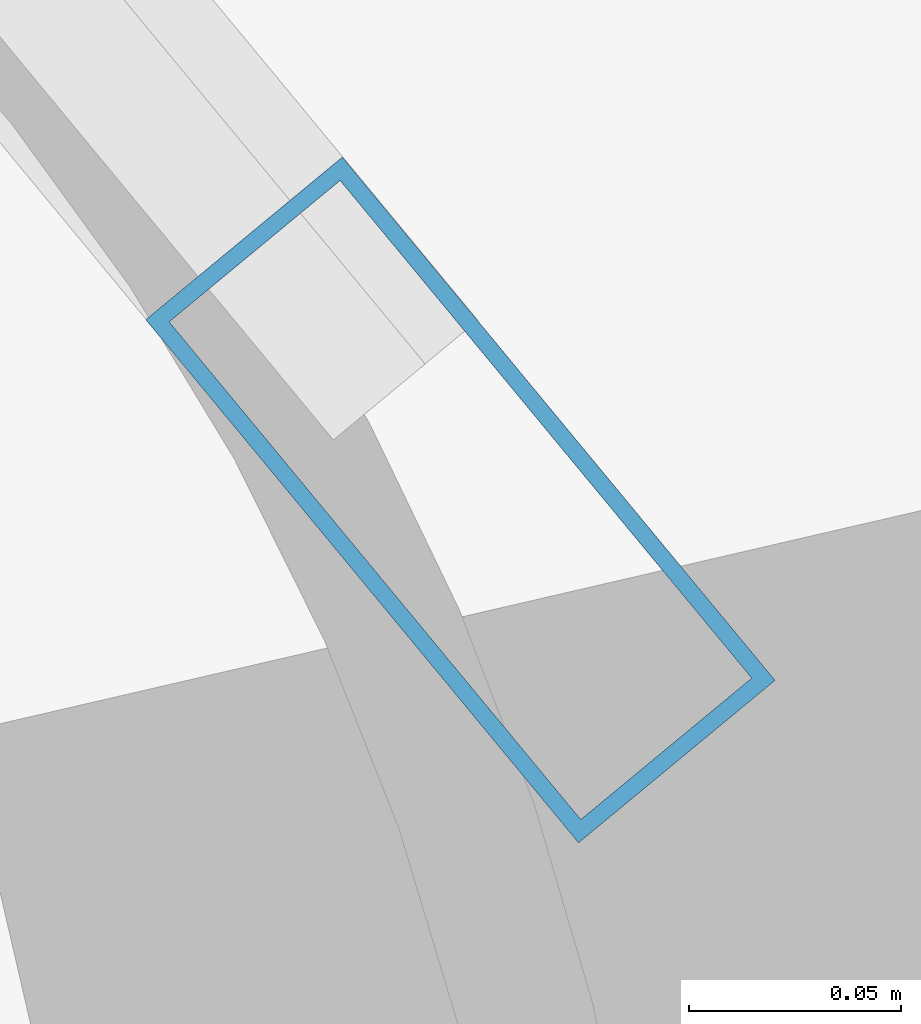
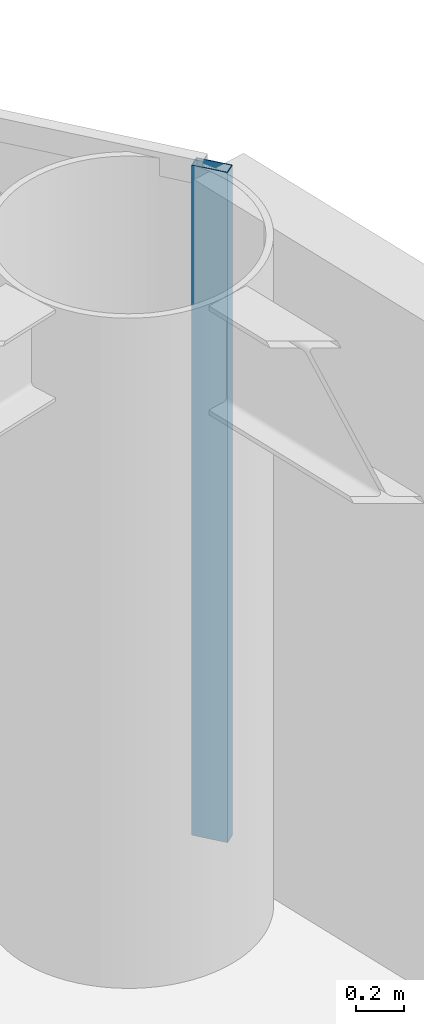
# One storey, part 9 of 27: 1 member, 1 element without a shape of its own.
"""IFC4 building model written with IfcOpenShell, lengths in metres."""

from ifc_helpers import new_model, si_unit, direction, frame, origin, origin_2d, place, context, subcontext, project, spatial, hollow_rectangle, extrude, material, layer, layer_set, material_profile, profile_set, type_object, element, aggregate, save


model = new_model("IFC4")

# Units and contexts
model_context = context("Model", 3, precision=1e-05, world=origin(), true_north=direction((0.0, 1.0)))
body_context = subcontext(model_context, "Body", "Model", "MODEL_VIEW")
ifc_project = project(units=[si_unit("LENGTHUNIT", "METRE"), si_unit("AREAUNIT", "SQUARE_METRE"), si_unit("VOLUMEUNIT", "CUBIC_METRE"), si_unit("PLANEANGLEUNIT", "RADIAN"), si_unit("MASSUNIT", "GRAM", prefix="KILO")], contexts=[model_context])

# Site, building, storey
site_placement = place(None, origin())
site = spatial("IfcSite", under=ifc_project, at=site_placement, CompositionType="ELEMENT")
building_placement = place(site_placement, origin())
building = spatial("IfcBuilding", under=site, at=building_placement, Name="Sarneth Arch Tower", CompositionType="ELEMENT")
storey_placement = place(building_placement, frame((0.0, 0.0, 193.800048828125)))
storey = spatial("IfcBuildingStorey", under=building, at=storey_placement, Name="L49", CompositionType="ELEMENT", Elevation=193.800048828125)

# Curtain wall, member
ifc_material_1 = material(Name="Anodised aluminium Type AA25 and solar-control low-e laminated IGU", Category="aluminium")
ifc_layer = layer(ifc_material_1, 0.169921875)
ifc_layer_set = layer_set([ifc_layer], Name="Anodised aluminium Type AA25 and solar-control low-e laminated IGU")
curtain_wall_type = type_object("IfcCurtainWallType", Name="CW-RES-MID", PredefinedType="NOTDEFINED", material=ifc_layer_set)
curtain_wall_placement = place(storey_placement, origin())
curtain_wall = element("IfcCurtainWall", 1, at=curtain_wall_placement, inside=storey, type_object=curtain_wall_type, Name="L49 Unitised curtain wall facet 02", PredefinedType="NOTDEFINED")
ifc_material_2 = material(Name="Anodised Aluminium 6063-T6", Category="aluminium")
ifc_material_profile = material_profile(ifc_material_2, hollow_rectangle(XDim=0.06005859375, YDim=0.159912109375, WallThickness=0.00390625, at=origin_2d()), Name="AL-MULL-160x60x4")
ifc_profile_set = profile_set([ifc_material_profile], Name="Anodised Aluminium 6063-T6")
member_type = type_object("IfcMemberType", Name="CW-MULLION", PredefinedType="MULLION", material=ifc_profile_set)
member_placement = place(storey_placement, frame((73.213134765625, 50.090087890625, 0.0), z_axis=(0.0, 0.0, 1.0), x_axis=(-0.770590741276, -0.637330298558, 0.0)))
member = element("IfcMember", 2, at=member_placement, type_object=member_type, Name="CW-SYS-5 mullion 1", PredefinedType="MULLION", context=body_context, shape_type="SweptSolid", body=[
    extrude(hollow_rectangle(XDim=0.06005859375, YDim=0.159912109375, WallThickness=0.00390625, at=origin_2d()), origin(), (0.0, 0.0, 1.0), 3.3798828125),
])
aggregate(curtain_wall, [member])

save(model, "model.ifc")
